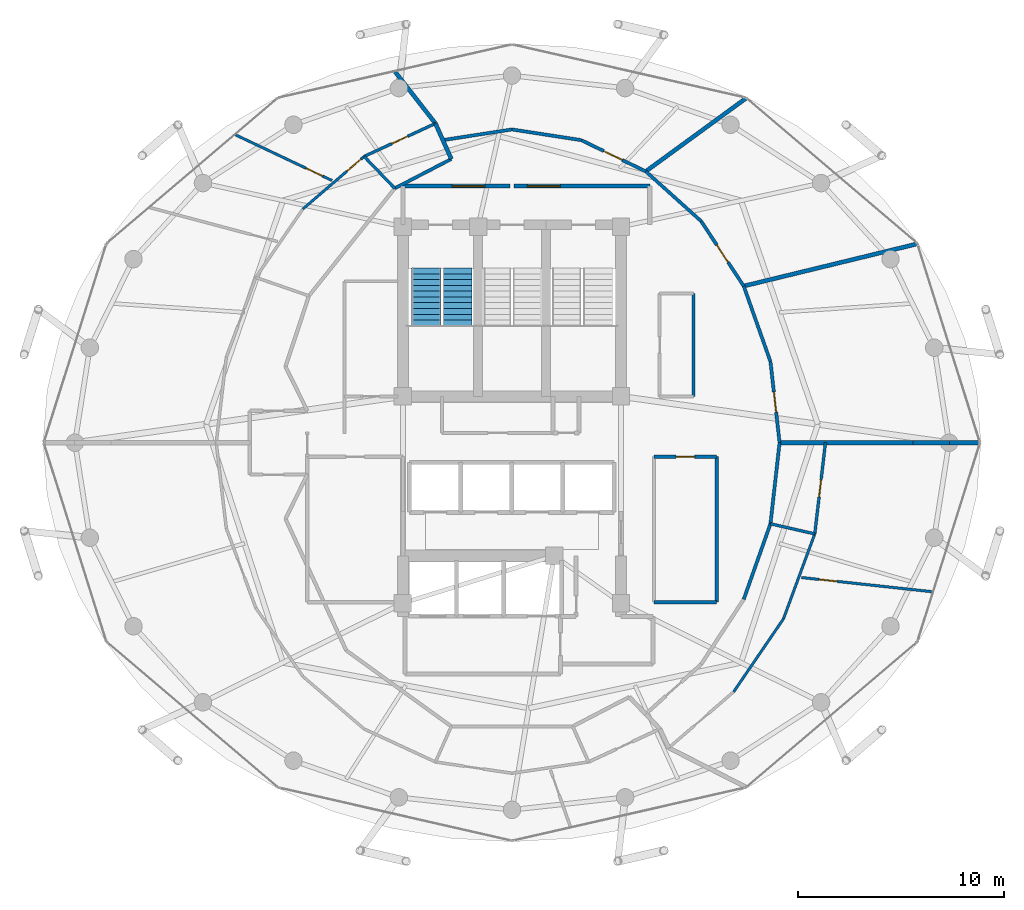
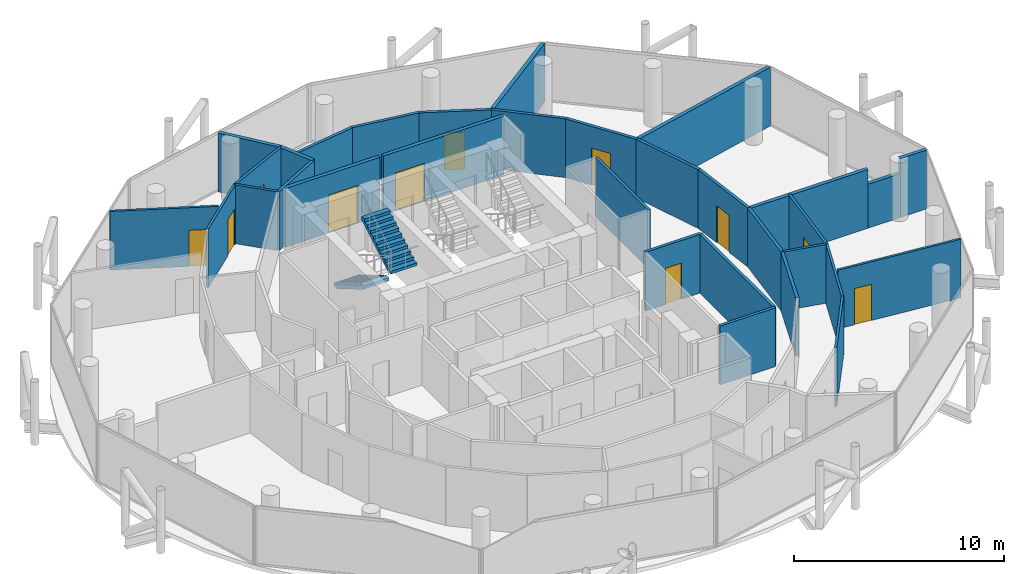
# One storey, part 25 of 27: 32 walls, 11 doors, 2 stair flights, 11 openings, 1 element without a shape of its own.
"""IFC4 building model written with IfcOpenShell, lengths in metres."""

from ifc_helpers import new_model, si_unit, direction, frame, frame_2d, origin, place, context, subcontext, project, spatial, polyline, rectangle, outline, extrude, material, layer, layer_set, type_object, element, fill, aggregate, save


model = new_model("IFC4")

# Units and contexts
model_context = context("Model", 3, precision=1e-05, world=origin(), true_north=direction((0.0, 1.0)))
body_context = subcontext(model_context, "Body", "Model", "MODEL_VIEW")
ifc_project = project(units=[si_unit("LENGTHUNIT", "METRE"), si_unit("AREAUNIT", "SQUARE_METRE"), si_unit("VOLUMEUNIT", "CUBIC_METRE"), si_unit("PLANEANGLEUNIT", "RADIAN"), si_unit("MASSUNIT", "GRAM", prefix="KILO")], contexts=[model_context])

# Site, building, storey
site_placement = place(None, origin())
site = spatial("IfcSite", under=ifc_project, at=site_placement, CompositionType="ELEMENT")
building_placement = place(site_placement, origin())
building = spatial("IfcBuilding", under=site, at=building_placement, Name="Nuhasar Tower", CompositionType="ELEMENT")
storey_placement = place(building_placement, frame((0.0, 0.0, 219.10009765625)))
storey = spatial("IfcBuildingStorey", under=building, at=storey_placement, Name="L53", CompositionType="ELEMENT", Elevation=219.10009765625)

# Walls
ifc_material_1 = material(Name="Gypsum Board", Category="gypsum")
ifc_layer_1 = layer(ifc_material_1, 0.159912109375)
ifc_layer_set_1 = layer_set([ifc_layer_1], Name="Gypsum Board")
wall_type_1 = type_object("IfcWallType", Name="WL-CORR-160", PredefinedType="PARTITIONING", material=ifc_layer_set_1)
wall_1_placement = place(storey_placement, frame((45.89990234375, 19.050048828125, 0.0), z_axis=(0.0, 0.0, 1.0), x_axis=(1.0, 0.0, 0.0)))
element("IfcWall", 1, at=wall_1_placement, inside=storey, type_object=wall_type_1, Name="L53 Interior Partition RECL-B2-S", PredefinedType="PARTITIONING", context=body_context, shape_type="SweptSolid", body=[
    extrude(rectangle(XDim=3.050048828125, YDim=0.159912109375, at=frame_2d((1.52490234375, 0.0))), origin(), (0.0, 0.0, 1.0), 3.409912109375),
])
wall_2_placement = place(storey_placement, frame((48.949951171875, 19.050048828125, 0.0), z_axis=(0.0, 0.0, 1.0), x_axis=(0.0, 1.0, 0.0)))
element("IfcWall", 2, at=wall_2_placement, inside=storey, type_object=wall_type_1, Name="L53 Interior Partition RECL-B2-E", PredefinedType="PARTITIONING", context=body_context, shape_type="SweptSolid", body=[
    extrude(rectangle(XDim=7.070068359375, YDim=0.159912109375, at=frame_2d((3.53515625, 0.0))), origin(), (0.0, 0.0, 1.0), 3.409912109375),
])

# Wall, opening, door
wall_3_placement = place(storey_placement, frame((48.949951171875, 26.1201171875, 0.0), z_axis=(0.0, 0.0, 1.0), x_axis=(-1.0, 0.0, 0.0)))
wall_3 = element("IfcWall", 3, at=wall_3_placement, inside=storey, type_object=wall_type_1, Name="L53 Interior Partition RECL-B2-N", PredefinedType="PARTITIONING", context=body_context, shape_type="SweptSolid", body=[
    extrude(rectangle(XDim=3.050048828125, YDim=0.159912109375, at=frame_2d((1.52490234375, 0.0))), origin(), (0.0, 0.0, 1.0), 3.409912109375),
])
opening_1_placement = place(wall_3_placement, frame((1.074951171875, 0.0, 0.0)))
opening_1 = element("IfcOpeningElement", 4, at=opening_1_placement, cuts=wall_3, Name="Opening DR-01", PredefinedType="OPENING", context=body_context, shape_type="SweptSolid", body=[
    extrude(rectangle(XDim=0.89990234375, YDim=2.10009765625, at=frame_2d((0.449951171875, 1.050048828125))), frame((0.0, 0.08984375, 0.0), z_axis=(0.0, -1.0, 0.0), x_axis=(1.0, 0.0, 0.0)), (0.0, 0.0, 1.0), 0.179931640625),
])
ifc_material_2 = material(Name="Timber Oak", Category="wood")
door_type_1 = type_object("IfcDoorType", Name="DR-ROOM-900", OperationType="NOTDEFINED", PredefinedType="DOOR", material=ifc_material_2)
door_1_placement = place(opening_1_placement, origin())
door_1 = element("IfcDoor", 5, at=door_1_placement, inside=storey, type_object=door_type_1, Name="L53 Resident Library Door", OperationType="SINGLE_SWING_LEFT", OverallHeight=2.10009765625, OverallWidth=0.89990234375, PredefinedType="DOOR", context=body_context, shape_type="SweptSolid", body=[
    extrude(rectangle(XDim=0.89990234375, YDim=2.10009765625, at=frame_2d((0.449951171875, 1.050048828125))), frame((0.0, 0.02490234375, 0.0), z_axis=(0.0, -1.0, 0.0), x_axis=(1.0, 0.0, 0.0)), (0.0, 0.0, 1.0), 0.050048828125),
])
fill(opening_1, door_1)

# Walls
wall_4_placement = place(storey_placement, frame((50.26708984375, 19.18505859375, 0.0), z_axis=(0.0, 0.0, 1.0), x_axis=(0.333619775429, 0.942707720051, 0.0)))
element("IfcWall", 6, at=wall_4_placement, inside=storey, type_object=wall_type_1, Name="L53 Interior Partition CORR-44", PredefinedType="PARTITIONING", context=body_context, shape_type="SweptSolid", body=[
    extrude(rectangle(XDim=3.89599609375, YDim=0.159912109375, at=frame_2d((1.947998046875, 0.0))), origin(), (0.0, 0.0, 1.0), 3.409912109375),
])
wall_5_placement = place(storey_placement, frame((51.56689453125, 22.85791015625, 0.0), z_axis=(0.0, 0.0, 1.0), x_axis=(0.11170133215, 0.993741823813, 0.0)))
element("IfcWall", 7, at=wall_5_placement, inside=storey, type_object=wall_type_1, Name="L53 Interior Partition CORR-46", PredefinedType="PARTITIONING", context=body_context, shape_type="SweptSolid", body=[
    extrude(rectangle(XDim=3.967041015625, YDim=0.159912109375, at=frame_2d((1.9833984375, 0.0))), origin(), (0.0, 0.0, 1.0), 3.409912109375),
])

# Wall, opening, door
wall_6_placement = place(storey_placement, frame((51.56689453125, 30.741943359375, 0.0), z_axis=(0.0, 0.0, 1.0), x_axis=(0.111708164027, -0.993741055854, 0.0)))
wall_6 = element("IfcWall", 8, at=wall_6_placement, inside=storey, type_object=wall_type_1, Name="L53 Interior Partition CORR-00", PredefinedType="PARTITIONING", context=body_context, shape_type="SweptSolid", body=[
    extrude(rectangle(XDim=3.966796875, YDim=0.159912109375, at=frame_2d((1.9833984375, 0.0))), origin(), (0.0, 0.0, 1.0), 3.409912109375),
])
opening_2_placement = place(wall_6_placement, frame((1.48291015625, 0.0, 0.0)))
opening_2 = element("IfcOpeningElement", 9, at=opening_2_placement, cuts=wall_6, Name="Opening DU-02", PredefinedType="OPENING", context=body_context, shape_type="SweptSolid", body=[
    extrude(rectangle(XDim=1.0, YDim=2.14990234375, at=frame_2d((0.5, 1.074951171875))), frame((0.0, 0.08984375, 0.0), z_axis=(0.0, -1.0, 0.0), x_axis=(1.0, 0.0, 0.0)), (0.0, 0.0, 1.0), 0.179931640625),
])
door_type_2 = type_object("IfcDoorType", Name="DR-FLAT-FD60-1000", OperationType="NOTDEFINED", PredefinedType="DOOR", material=ifc_material_2)
door_2_placement = place(opening_2_placement, origin())
door_2 = element("IfcDoor", 10, at=door_2_placement, inside=storey, type_object=door_type_2, Name="L53 Resident Co-Working Office 1 Entrance Door", OperationType="SINGLE_SWING_RIGHT", OverallHeight=2.14990234375, OverallWidth=1.0, PredefinedType="DOOR", context=body_context, shape_type="SweptSolid", body=[
    extrude(rectangle(XDim=1.0, YDim=2.14990234375, at=frame_2d((0.5, 1.074951171875))), frame((0.0, 0.02490234375, 0.0), z_axis=(0.0, -1.0, 0.0), x_axis=(1.0, 0.0, 0.0)), (0.0, 0.0, 1.0), 0.050048828125),
])
fill(opening_2, door_2)

# Wall
wall_7_placement = place(storey_placement, frame((51.56689453125, 30.741943359375, 0.0), z_axis=(0.0, 0.0, 1.0), x_axis=(-0.333600068518, 0.942714694001, 0.0)))
element("IfcWall", 11, at=wall_7_placement, inside=storey, type_object=wall_type_1, Name="L53 Interior Partition CORR-02", PredefinedType="PARTITIONING", context=body_context, shape_type="SweptSolid", body=[
    extrude(rectangle(XDim=3.896240234375, YDim=0.159912109375, at=frame_2d((1.9482421875, 0.0))), origin(), (0.0, 0.0, 1.0), 3.409912109375),
])

# Wall, opening, door
wall_8_placement = place(storey_placement, frame((48.198974609375, 37.569091796875, 0.0), z_axis=(0.0, 0.0, 1.0), x_axis=(0.548335441843, -0.836258478712, 0.0)))
wall_8 = element("IfcWall", 12, at=wall_8_placement, inside=storey, type_object=wall_type_1, Name="L53 Interior Partition CORR-04", PredefinedType="PARTITIONING", context=body_context, shape_type="SweptSolid", body=[
    extrude(rectangle(XDim=3.771728515625, YDim=0.159912109375, at=frame_2d((1.8857421875, 0.0))), origin(), (0.0, 0.0, 1.0), 3.409912109375),
])
opening_3_placement = place(wall_8_placement, frame((1.385986328125, 0.0, 0.0)))
opening_3 = element("IfcOpeningElement", 13, at=opening_3_placement, cuts=wall_8, Name="Opening DU-02", PredefinedType="OPENING", context=body_context, shape_type="SweptSolid", body=[
    extrude(rectangle(XDim=1.0, YDim=2.14990234375, at=frame_2d((0.5, 1.074951171875))), frame((0.0, 0.08984375, 0.0), z_axis=(0.0, -1.0, 0.0), x_axis=(1.0, 0.0, 0.0)), (0.0, 0.0, 1.0), 0.179931640625),
])
door_3_placement = place(opening_3_placement, origin())
door_3 = element("IfcDoor", 14, at=door_3_placement, inside=storey, type_object=door_type_2, Name="L53 Resident Executive Office 2 Entrance Door", OperationType="SINGLE_SWING_RIGHT", OverallHeight=2.14990234375, OverallWidth=1.0, PredefinedType="DOOR", context=body_context, shape_type="SweptSolid", body=[
    extrude(rectangle(XDim=1.0, YDim=2.14990234375, at=frame_2d((0.5, 1.074951171875))), frame((0.0, 0.02490234375, 0.0), z_axis=(0.0, -1.0, 0.0), x_axis=(1.0, 0.0, 0.0)), (0.0, 0.0, 1.0), 0.050048828125),
])
fill(opening_3, door_3)

# Wall
wall_9_placement = place(storey_placement, frame((48.198974609375, 37.569091796875, 0.0), z_axis=(0.0, 0.0, 1.0), x_axis=(-0.743813424218, 0.66838730535, 0.0)))
element("IfcWall", 15, at=wall_9_placement, inside=storey, type_object=wall_type_1, Name="L53 Interior Partition CORR-06", PredefinedType="PARTITIONING", context=body_context, shape_type="SweptSolid", body=[
    extrude(rectangle(XDim=3.6220703125, YDim=0.159912109375, at=frame_2d((1.81103515625, 0.0))), origin(), (0.0, 0.0, 1.0), 3.409912109375),
])

# Wall, opening, door
wall_10_placement = place(storey_placement, frame((42.366943359375, 41.510986328125, 0.0), z_axis=(0.0, 0.0, 1.0), x_axis=(0.89986240726, -0.436173873588, 0.0)))
wall_10 = element("IfcWall", 16, at=wall_10_placement, inside=storey, type_object=wall_type_1, Name="L53 Interior Partition CORR-08", PredefinedType="PARTITIONING", context=body_context, shape_type="SweptSolid", body=[
    extrude(rectangle(XDim=3.487060546875, YDim=0.159912109375, at=frame_2d((1.74365234375, 0.0))), origin(), (0.0, 0.0, 1.0), 3.409912109375),
])
opening_4_placement = place(wall_10_placement, frame((1.218017578125, 0.0, 0.0)))
opening_4 = element("IfcOpeningElement", 17, at=opening_4_placement, cuts=wall_10, Name="Opening DU-02", PredefinedType="OPENING", context=body_context, shape_type="SweptSolid", body=[
    extrude(rectangle(XDim=1.0, YDim=2.14990234375, at=frame_2d((0.5, 1.074951171875))), frame((0.0, 0.08984375, 0.0), z_axis=(0.0, -1.0, 0.0), x_axis=(1.0, 0.0, 0.0)), (0.0, 0.0, 1.0), 0.179931640625),
])
door_4_placement = place(opening_4_placement, origin())
door_4 = element("IfcDoor", 18, at=door_4_placement, inside=storey, type_object=door_type_2, Name="L53 Resident Briefing Room Entrance Door", OperationType="SINGLE_SWING_LEFT", OverallHeight=2.14990234375, OverallWidth=1.0, PredefinedType="DOOR", context=body_context, shape_type="SweptSolid", body=[
    extrude(rectangle(XDim=1.0, YDim=2.14990234375, at=frame_2d((0.5, 1.074951171875))), frame((0.0, 0.02490234375, 0.0), z_axis=(0.0, -1.0, 0.0), x_axis=(1.0, 0.0, 0.0)), (0.0, 0.0, 1.0), 0.050048828125),
])
fill(opening_4, door_4)

# Walls
wall_11_placement = place(storey_placement, frame((42.366943359375, 41.510986328125, 0.0), z_axis=(0.0, 0.0, 1.0), x_axis=(-0.988325256122, 0.152358748061, 0.0)))
element("IfcWall", 19, at=wall_11_placement, inside=storey, type_object=wall_type_1, Name="L53 Interior Partition CORR-10", PredefinedType="PARTITIONING", context=body_context, shape_type="SweptSolid", body=[
    extrude(rectangle(XDim=3.40673828125, YDim=0.159912109375, at=frame_2d((1.703369140625, 0.0))), origin(), (0.0, 0.0, 1.0), 3.409912109375),
])
wall_12_placement = place(storey_placement, frame((39.0, 42.030029296875, 0.0), z_axis=(0.0, 0.0, 1.0), x_axis=(-0.988328501041, -0.152337697335, 0.0)))
element("IfcWall", 20, at=wall_12_placement, inside=storey, type_object=wall_type_1, Name="L53 Interior Partition CORR-12", PredefinedType="PARTITIONING", context=body_context, shape_type="SweptSolid", body=[
    extrude(rectangle(XDim=3.40087890625, YDim=0.159912109375, at=frame_2d((1.700439453125, 0.0))), origin(), (0.0, 0.0, 1.0), 3.409912109375),
])
wall_13_placement = place(storey_placement, frame((36.049072265625, 40.593017578125, 0.0), z_axis=(0.0, 0.0, 1.0), x_axis=(-0.887674575788, -0.460471331898, 0.0)))
element("IfcWall", 21, at=wall_13_placement, inside=storey, type_object=wall_type_1, Name="L53 Interior Partition UWEST-CORE-N1-14", PredefinedType="PARTITIONING", context=body_context, shape_type="SweptSolid", body=[
    extrude(rectangle(XDim=3.096923828125, YDim=0.159912109375, at=frame_2d((1.54833984375, 0.0))), origin(), (0.0, 0.0, 1.0), 3.409912109375),
])

# Wall, opening, door
ifc_material_3 = material(Name="Concrete C45/55", Category="concrete")
ifc_layer_2 = layer(ifc_material_3, 0.199951171875)
ifc_layer_set_2 = layer_set([ifc_layer_2], Name="Concrete C45/55")
wall_type_2 = type_object("IfcWallType", Name="WL-LOBBY-200", PredefinedType="SOLIDWALL", material=ifc_layer_set_2)
wall_14_placement = place(storey_placement, frame((38.89990234375, 39.280029296875, 0.0), z_axis=(0.0, 0.0, 1.0), x_axis=(-1.0, 0.0, 0.0)))
wall_14 = element("IfcWall", 22, at=wall_14_placement, inside=storey, type_object=wall_type_2, Name="L53 Interior Partition NSL-N1", PredefinedType="SOLIDWALL", context=body_context, shape_type="SweptSolid", body=[
    extrude(rectangle(XDim=5.199951171875, YDim=0.199951171875, at=frame_2d((2.60009765625, 0.0))), origin(), (0.0, 0.0, 1.0), 3.409912109375),
])
opening_5_placement = place(wall_14_placement, frame((1.216064453125, 0.0, 0.0)))
opening_5 = element("IfcOpeningElement", 23, at=opening_5_placement, cuts=wall_14, Name="Opening DC-01", PredefinedType="OPENING", context=body_context, shape_type="SweptSolid", body=[
    extrude(rectangle(XDim=1.60009765625, YDim=2.199951171875, at=frame_2d((0.800048828125, 1.10009765625))), frame((0.0, 0.10986328125, 0.0), z_axis=(0.0, -1.0, 0.0), x_axis=(1.0, 0.0, 0.0)), (0.0, 0.0, 1.0), 0.219970703125),
])
ifc_material_4 = material(Name="Steel S355", Category="steel")
door_type_3 = type_object("IfcDoorType", Name="DR-CORR-FD60-1600", OperationType="DOUBLE_DOOR_SINGLE_SWING", PredefinedType="DOOR", material=ifc_material_4)
door_5_placement = place(opening_5_placement, origin())
door_5 = element("IfcDoor", 24, at=door_5_placement, inside=storey, type_object=door_type_3, Name="L53 North Stair Lobby West Door", OperationType="DOUBLE_DOOR_SINGLE_SWING", OverallHeight=2.199951171875, OverallWidth=1.60009765625, PredefinedType="DOOR", context=body_context, shape_type="SweptSolid", body=[
    extrude(rectangle(XDim=1.60009765625, YDim=2.199951171875, at=frame_2d((0.800048828125, 1.10009765625))), frame((0.0, 0.02490234375, 0.0), z_axis=(0.0, -1.0, 0.0), x_axis=(1.0, 0.0, 0.0)), (0.0, 0.0, 1.0), 0.050048828125),
])
fill(opening_5, door_5)

wall_15_placement = place(storey_placement, frame((45.699951171875, 39.280029296875, 0.0), z_axis=(0.0, 0.0, 1.0), x_axis=(-1.0, 0.0, 0.0)))
wall_15 = element("IfcWall", 25, at=wall_15_placement, inside=storey, type_object=wall_type_2, Name="L53 Interior Partition NSL-N2", PredefinedType="SOLIDWALL", context=body_context, shape_type="SweptSolid", body=[
    extrude(rectangle(XDim=6.599853515625, YDim=0.199951171875, at=frame_2d((3.2998046875, 0.0))), origin(), (0.0, 0.0, 1.0), 3.409912109375),
])
opening_6_placement = place(wall_15_placement, frame((4.35009765625, 0.0, 0.0)))
opening_6 = element("IfcOpeningElement", 26, at=opening_6_placement, cuts=wall_15, Name="Opening DC-01", PredefinedType="OPENING", context=body_context, shape_type="SweptSolid", body=[
    extrude(rectangle(XDim=1.60009765625, YDim=2.199951171875, at=frame_2d((0.800048828125, 1.10009765625))), frame((0.0, 0.10986328125, 0.0), z_axis=(0.0, -1.0, 0.0), x_axis=(1.0, 0.0, 0.0)), (0.0, 0.0, 1.0), 0.219970703125),
])
door_6_placement = place(opening_6_placement, origin())
door_6 = element("IfcDoor", 27, at=door_6_placement, inside=storey, type_object=door_type_3, Name="L53 North Stair Lobby East Door", OperationType="DOUBLE_DOOR_SINGLE_SWING", OverallHeight=2.199951171875, OverallWidth=1.60009765625, PredefinedType="DOOR", context=body_context, shape_type="SweptSolid", body=[
    extrude(rectangle(XDim=1.60009765625, YDim=2.199951171875, at=frame_2d((0.800048828125, 1.10009765625))), frame((0.0, 0.02490234375, 0.0), z_axis=(0.0, -1.0, 0.0), x_axis=(1.0, 0.0, 0.0)), (0.0, 0.0, 1.0), 0.050048828125),
])
fill(opening_6, door_6)

# Walls
ifc_layer_3 = layer(ifc_material_1, 0.125)
ifc_layer_set_3 = layer_set([ifc_layer_3], Name="Gypsum Board")
wall_type_3 = type_object("IfcWallType", Name="WL-PART-125", PredefinedType="PARTITIONING", material=ifc_layer_set_3)
wall_16_placement = place(storey_placement, frame((49.77587890625, 14.68701171875, 0.0), z_axis=(0.0, 0.0, 1.0), x_axis=(0.563807562119, 0.82590618892, 0.0)))
element("IfcWall", 28, at=wall_16_placement, inside=storey, type_object=wall_type_3, Name="L53 Interior Partition UMID-01-A-42", PredefinedType="PARTITIONING", context=body_context, shape_type="SweptSolid", body=[
    extrude(rectangle(XDim=4.2958984375, YDim=0.125, at=frame_2d((2.14794921875, 0.0))), origin(), (0.0, 0.0, 1.0), 3.409912109375),
])
wall_17_placement = place(storey_placement, frame((52.197998046875, 18.235107421875, 0.0), z_axis=(0.0, 0.0, 1.0), x_axis=(0.345916071667, 0.938265458899, 0.0)))
element("IfcWall", 29, at=wall_17_placement, inside=storey, type_object=wall_type_3, Name="L53 Interior Partition UMID-01-A-44", PredefinedType="PARTITIONING", context=body_context, shape_type="SweptSolid", body=[
    extrude(rectangle(XDim=4.402587890625, YDim=0.125, at=frame_2d((2.201171875, 0.0))), origin(), (0.0, 0.0, 1.0), 3.409912109375),
])

# Wall, opening, door
wall_18_placement = place(storey_placement, frame((53.080078125, 20.2451171875, 0.0), z_axis=(0.0, 0.0, 1.0), x_axis=(0.994131981144, -0.108173952811, 0.0)))
wall_18 = element("IfcWall", 30, at=wall_18_placement, inside=storey, type_object=wall_type_3, Name="L53 Interior Partition UOUT-01-B1", PredefinedType="PARTITIONING", context=body_context, shape_type="SweptSolid", body=[
    extrude(rectangle(XDim=6.3984375, YDim=0.125, at=frame_2d((3.19921875, 0.0))), origin(), (0.0, 0.0, 1.0), 3.409912109375),
])
opening_7_placement = place(wall_18_placement, frame((0.85009765625, 0.0, 0.0)))
opening_7 = element("IfcOpeningElement", 31, at=opening_7_placement, cuts=wall_18, Name="Opening DR-01", PredefinedType="OPENING", context=body_context, shape_type="SweptSolid", body=[
    extrude(rectangle(XDim=0.89990234375, YDim=2.10009765625, at=frame_2d((0.449951171875, 1.050048828125))), frame((0.0, 0.072509765625, 0.0), z_axis=(0.0, -1.0, 0.0), x_axis=(1.0, 0.0, 0.0)), (0.0, 0.0, 1.0), 0.14501953125),
])
door_7_placement = place(opening_7_placement, origin())
door_7 = element("IfcDoor", 32, at=door_7_placement, inside=storey, type_object=door_type_1, Name="L53 U01 Bedroom Door", OperationType="SINGLE_SWING_LEFT", OverallHeight=2.10009765625, OverallWidth=0.89990234375, PredefinedType="DOOR", context=body_context, shape_type="SweptSolid", body=[
    extrude(rectangle(XDim=0.89990234375, YDim=2.10009765625, at=frame_2d((0.449951171875, 1.050048828125))), frame((0.0, 0.02490234375, 0.0), z_axis=(0.0, -1.0, 0.0), x_axis=(1.0, 0.0, 0.0)), (0.0, 0.0, 1.0), 0.050048828125),
])
fill(opening_7, door_7)

wall_19_placement = place(storey_placement, frame((28.83203125, 38.1630859375, 0.0), z_axis=(0.0, 0.0, 1.0), x_axis=(0.759085259689, 0.650991220004, 0.0)))
wall_19 = element("IfcWall", 33, at=wall_19_placement, inside=storey, type_object=wall_type_3, Name="L53 Interior Partition USM-1-K-16", PredefinedType="PARTITIONING", context=body_context, shape_type="SweptSolid", body=[
    extrude(rectangle(XDim=3.923095703125, YDim=0.125, at=frame_2d((1.96142578125, 0.0))), origin(), (0.0, 0.0, 1.0), 3.409912109375),
])
opening_8_placement = place(wall_19_placement, frame((2.822998046875, 0.0, 0.0)))
opening_8 = element("IfcOpeningElement", 34, at=opening_8_placement, cuts=wall_19, Name="Opening DR-01", PredefinedType="OPENING", context=body_context, shape_type="SweptSolid", body=[
    extrude(rectangle(XDim=0.89990234375, YDim=2.10009765625, at=frame_2d((0.449951171875, 1.050048828125))), frame((0.0, 0.072509765625, 0.0), z_axis=(0.0, -1.0, 0.0), x_axis=(1.0, 0.0, 0.0)), (0.0, 0.0, 1.0), 0.14501953125),
])
door_8_placement = place(opening_8_placement, origin())
door_8 = element("IfcDoor", 35, at=door_8_placement, inside=storey, type_object=door_type_1, Name="L53 North-West Sky Home Kitchen Door", OperationType="SINGLE_SWING_RIGHT", OverallHeight=2.10009765625, OverallWidth=0.89990234375, PredefinedType="DOOR", context=body_context, shape_type="SweptSolid", body=[
    extrude(rectangle(XDim=0.89990234375, YDim=2.10009765625, at=frame_2d((0.449951171875, 1.050048828125))), frame((0.0, 0.02490234375, 0.0), z_axis=(0.0, -1.0, 0.0), x_axis=(1.0, 0.0, 0.0)), (0.0, 0.0, 1.0), 0.050048828125),
])
fill(opening_8, door_8)

wall_20_placement = place(storey_placement, frame((30.24609375, 39.549072265625, 0.0), z_axis=(0.0, 0.0, 1.0), x_axis=(-0.903897878918, 0.427748319094, 0.0)))
wall_20 = element("IfcWall", 36, at=wall_20_placement, inside=storey, type_object=wall_type_3, Name="L53 Interior Partition USO-1-B1", PredefinedType="PARTITIONING", context=body_context, shape_type="SweptSolid", body=[
    extrude(rectangle(XDim=5.185302734375, YDim=0.125, at=frame_2d((2.5927734375, 0.0))), origin(), (0.0, 0.0, 1.0), 3.409912109375),
])
opening_9_placement = place(wall_20_placement, frame((0.5029296875, 0.0, 0.0)))
opening_9 = element("IfcOpeningElement", 37, at=opening_9_placement, cuts=wall_20, Name="Opening DR-01", PredefinedType="OPENING", context=body_context, shape_type="SweptSolid", body=[
    extrude(rectangle(XDim=0.89990234375, YDim=2.10009765625, at=frame_2d((0.449951171875, 1.050048828125))), frame((0.0, 0.072509765625, 0.0), z_axis=(0.0, -1.0, 0.0), x_axis=(1.0, 0.0, 0.0)), (0.0, 0.0, 1.0), 0.14501953125),
])
door_9_placement = place(opening_9_placement, origin())
door_9 = element("IfcDoor", 38, at=door_9_placement, inside=storey, type_object=door_type_1, Name="L53 North-West Sky Home Master Bedroom Door", OperationType="SINGLE_SWING_LEFT", OverallHeight=2.10009765625, OverallWidth=0.89990234375, PredefinedType="DOOR", context=body_context, shape_type="SweptSolid", body=[
    extrude(rectangle(XDim=0.89990234375, YDim=2.10009765625, at=frame_2d((0.449951171875, 1.050048828125))), frame((0.0, 0.02490234375, 0.0), z_axis=(0.0, -1.0, 0.0), x_axis=(1.0, 0.0, 0.0)), (0.0, 0.0, 1.0), 0.050048828125),
])
fill(opening_9, door_9)

# Walls
ifc_material_5 = material(Name="Concrete C40/50 precast", Category="concrete")
ifc_layer_4 = layer(ifc_material_5, 0.199951171875)
ifc_layer_set_4 = layer_set([ifc_layer_4], Name="Concrete C40/50 precast")
wall_type_4 = type_object("IfcWallType", Name="WL-UNIT-200", PredefinedType="PARTITIONING", material=ifc_layer_set_4)
wall_21_placement = place(storey_placement, frame((36.049072265625, 40.593017578125, 0.0), z_axis=(0.0, 0.0, 1.0), x_axis=(-0.407262922325, 0.913310961338, 0.0)))
element("IfcWall", 39, at=wall_21_placement, inside=storey, type_object=wall_type_4, Name="L53 Interior Partition URAD-14-NW-S1", PredefinedType="PARTITIONING", context=body_context, shape_type="SweptSolid", body=[
    extrude(rectangle(XDim=1.89306640625, YDim=0.199951171875, at=frame_2d((0.946533203125, 0.0))), origin(), (0.0, 0.0, 1.0), 3.409912109375),
])
wall_22_placement = place(storey_placement, frame((35.278076171875, 42.322021484375, 0.0), z_axis=(0.0, 0.0, 1.0), x_axis=(-0.615410344966, 0.788206893721, 0.0)))
element("IfcWall", 40, at=wall_22_placement, inside=storey, type_object=wall_type_4, Name="L53 Interior Partition URAD-14-NW-S2", PredefinedType="PARTITIONING", context=body_context, shape_type="SweptSolid", body=[
    extrude(rectangle(XDim=3.18310546875, YDim=0.199951171875, at=frame_2d((1.591552734375, 0.0))), origin(), (0.0, 0.0, 1.0), 3.409912109375),
])
wall_23_placement = place(storey_placement, frame((52.010009765625, 26.800048828125, 0.0), z_axis=(0.0, 0.0, 1.0), x_axis=(1.0, 0.0, 0.0)))
element("IfcWall", 41, at=wall_23_placement, inside=storey, type_object=wall_type_4, Name="L53 Interior Partition URAD-00", PredefinedType="PARTITIONING", context=body_context, shape_type="SweptSolid", body=[
    extrude(rectangle(XDim=6.486083984375, YDim=0.199951171875, at=frame_2d((3.2431640625, 0.0))), origin(), (0.0, 0.0, 1.0), 3.409912109375),
])
wall_24_placement = place(storey_placement, frame((58.49609375, 26.800048828125, 0.0), z_axis=(0.0, 0.0, 1.0), x_axis=(1.0, 0.0, 0.0)))
element("IfcWall", 42, at=wall_24_placement, inside=storey, type_object=wall_type_4, Name="L53 Interior Partition URAD-00", PredefinedType="PARTITIONING", context=body_context, shape_type="SweptSolid", body=[
    extrude(rectangle(XDim=1.767822265625, YDim=0.199951171875, at=frame_2d((0.8837890625, 0.0))), origin(), (0.0, 0.0, 1.0), 2.5498046875),
])
wall_25_placement = place(storey_placement, frame((60.263916015625, 26.800048828125, 0.0), z_axis=(0.0, 0.0, 1.0), x_axis=(1.0, 0.0, 0.0)))
element("IfcWall", 43, at=wall_25_placement, inside=storey, type_object=wall_type_4, Name="L53 Interior Partition URAD-00", PredefinedType="PARTITIONING", context=body_context, shape_type="SweptSolid", body=[
    extrude(rectangle(XDim=1.461181640625, YDim=0.199951171875, at=frame_2d((0.73046875, 0.0))), origin(), (0.0, 0.0, 1.0), 3.409912109375),
])
wall_26_placement = place(storey_placement, frame((50.26708984375, 34.4150390625, 0.0), z_axis=(0.0, 0.0, 1.0), x_axis=(0.971654125171, 0.236406981788, 0.0)))
element("IfcWall", 44, at=wall_26_placement, inside=storey, type_object=wall_type_4, Name="L53 Interior Partition URAD-04", PredefinedType="PARTITIONING", context=body_context, shape_type="SweptSolid", body=[
    extrude(rectangle(XDim=8.658203125, YDim=0.199951171875, at=frame_2d((4.3291015625, 0.0))), origin(), (0.0, 0.0, 1.0), 3.409912109375),
])
wall_27_placement = place(storey_placement, frame((45.5048828125, 39.989990234375, 0.0), z_axis=(0.0, 0.0, 1.0), x_axis=(0.807730868973, 0.589551391575, 0.0)))
element("IfcWall", 45, at=wall_27_placement, inside=storey, type_object=wall_type_4, Name="L53 Interior Partition URAD-08", PredefinedType="PARTITIONING", context=body_context, shape_type="SweptSolid", body=[
    extrude(rectangle(XDim=6.0146484375, YDim=0.199951171875, at=frame_2d((3.00732421875, 0.0))), origin(), (0.0, 0.0, 1.0), 3.409912109375),
])
ifc_layer_5 = layer(ifc_material_5, 0.139892578125)
ifc_layer_set_5 = layer_set([ifc_layer_5], Name="Concrete C40/50 precast")
wall_type_5 = type_object("IfcWallType", Name="WL-WET-140", PredefinedType="PARTITIONING", material=ifc_layer_set_5)
wall_28_placement = place(storey_placement, frame((47.820068359375, 29.050048828125, 0.0), z_axis=(0.0, 0.0, 1.0), x_axis=(0.0, 1.0, 0.0)))
element("IfcWall", 46, at=wall_28_placement, inside=storey, type_object=wall_type_5, Name="L53 Interior Partition K3-NE-E", PredefinedType="PARTITIONING", context=body_context, shape_type="SweptSolid", body=[
    extrude(rectangle(XDim=5.0, YDim=0.139892578125, at=frame_2d((2.5, 0.0))), origin(), (0.0, 0.0, 1.0), 3.409912109375),
])

# Wall, opening, door
wall_29_placement = place(storey_placement, frame((54.239990234375, 26.800048828125, 0.0), z_axis=(0.0, 0.0, 1.0), x_axis=(-0.11626375205, -0.993218374759, 0.0)))
wall_29 = element("IfcWall", 47, at=wall_29_placement, inside=storey, type_object=wall_type_5, Name="L53 Interior Partition UMID-01-B-46", PredefinedType="PARTITIONING", context=body_context, shape_type="SweptSolid", body=[
    extrude(rectangle(XDim=4.46435546875, YDim=0.139892578125, at=frame_2d((2.232177734375, 0.0))), origin(), (0.0, 0.0, 1.0), 3.409912109375),
])
opening_10_placement = place(wall_29_placement, frame((1.806884765625, 0.0, 0.0)))
opening_10 = element("IfcOpeningElement", 48, at=opening_10_placement, cuts=wall_29, Name="Opening DB-01", PredefinedType="OPENING", context=body_context, shape_type="SweptSolid", body=[
    extrude(rectangle(XDim=0.85009765625, YDim=2.10009765625, at=frame_2d((0.425048828125, 1.050048828125))), frame((0.0, 0.080078125, 0.0), z_axis=(0.0, -1.0, 0.0), x_axis=(1.0, 0.0, 0.0)), (0.0, 0.0, 1.0), 0.159912109375),
])
door_type_4 = type_object("IfcDoorType", Name="DR-BATH-850", OperationType="NOTDEFINED", PredefinedType="DOOR", material=ifc_material_2)
door_10_placement = place(opening_10_placement, origin())
door_10 = element("IfcDoor", 49, at=door_10_placement, inside=storey, type_object=door_type_4, Name="L53 U01 Bathroom Door", OperationType="SINGLE_SWING_RIGHT", OverallHeight=2.10009765625, OverallWidth=0.85009765625, PredefinedType="DOOR", context=body_context, shape_type="SweptSolid", body=[
    extrude(rectangle(XDim=0.85009765625, YDim=2.10009765625, at=frame_2d((0.425048828125, 1.050048828125))), frame((0.0, 0.02490234375, 0.0), z_axis=(0.0, -1.0, 0.0), x_axis=(1.0, 0.0, 0.0)), (0.0, 0.0, 1.0), 0.050048828125),
])
fill(opening_10, door_10)

# Walls
wall_30_placement = place(storey_placement, frame((51.56689453125, 22.85791015625, 0.0), z_axis=(0.0, 0.0, 1.0), x_axis=(0.974898951109, -0.222647782668, 0.0)))
element("IfcWall", 50, at=wall_30_placement, inside=storey, type_object=wall_type_5, Name="L53 Interior Partition UIN-01-K", PredefinedType="PARTITIONING", context=body_context, shape_type="SweptSolid", body=[
    extrude(rectangle(XDim=2.20947265625, YDim=0.139892578125, at=frame_2d((1.104736328125, 0.0))), origin(), (0.0, 0.0, 1.0), 3.409912109375),
])
wall_31_placement = place(storey_placement, frame((33.300048828125, 39.1669921875, 0.0), z_axis=(0.0, 0.0, 1.0), x_axis=(-0.693002052722, 0.720935610803, 0.0)))
element("IfcWall", 51, at=wall_31_placement, inside=storey, type_object=wall_type_5, Name="L53 Interior Partition USI-1-BK", PredefinedType="PARTITIONING", context=body_context, shape_type="SweptSolid", body=[
    extrude(rectangle(XDim=2.150146484375, YDim=0.139892578125, at=frame_2d((1.0751953125, 0.0))), origin(), (0.0, 0.0, 1.0), 3.409912109375),
])

# Wall, opening, door
wall_32_placement = place(storey_placement, frame((31.81005859375, 40.717041015625, 0.0), z_axis=(0.0, 0.0, 1.0), x_axis=(0.907525084777, 0.419997881543, 0.0)))
wall_32 = element("IfcWall", 52, at=wall_32_placement, inside=storey, type_object=wall_type_5, Name="L53 Interior Partition USM-1-B-14", PredefinedType="PARTITIONING", context=body_context, shape_type="SweptSolid", body=[
    extrude(rectangle(XDim=3.8212890625, YDim=0.139892578125, at=frame_2d((1.91064453125, 0.0))), origin(), (0.0, 0.0, 1.0), 3.409912109375),
])
opening_11_placement = place(wall_32_placement, frame((1.486083984375, 0.0, 0.0)))
opening_11 = element("IfcOpeningElement", 53, at=opening_11_placement, cuts=wall_32, Name="Opening DB-01", PredefinedType="OPENING", context=body_context, shape_type="SweptSolid", body=[
    extrude(rectangle(XDim=0.85009765625, YDim=2.10009765625, at=frame_2d((0.425048828125, 1.050048828125))), frame((0.0, 0.080078125, 0.0), z_axis=(0.0, -1.0, 0.0), x_axis=(1.0, 0.0, 0.0)), (0.0, 0.0, 1.0), 0.159912109375),
])
door_11_placement = place(opening_11_placement, origin())
door_11 = element("IfcDoor", 54, at=door_11_placement, inside=storey, type_object=door_type_4, Name="L53 North-West Sky Home En-Suite Door", OperationType="SINGLE_SWING_RIGHT", OverallHeight=2.10009765625, OverallWidth=0.85009765625, PredefinedType="DOOR", context=body_context, shape_type="SweptSolid", body=[
    extrude(rectangle(XDim=0.85009765625, YDim=2.10009765625, at=frame_2d((0.425048828125, 1.050048828125))), frame((0.0, 0.02490234375, 0.0), z_axis=(0.0, -1.0, 0.0), x_axis=(1.0, 0.0, 0.0)), (0.0, 0.0, 1.0), 0.050048828125),
])
fill(opening_11, door_11)

# Stair, stair flights
stair_type = type_object("IfcStairType", Name="STR-ST-01-2F-22R-1659", PredefinedType="HALF_TURN_STAIR", material=ifc_material_3)
stair_placement = place(storey_placement, origin())
stair = element("IfcStair", 55, at=stair_placement, inside=storey, type_object=stair_type, Name="L53 Exit Stair ST-01", PredefinedType="HALF_TURN_STAIR")
stair_flight_type = type_object("IfcStairFlightType", Name="SFL-ST-01-11R-1659", PredefinedType="STRAIGHT", material=ifc_material_3)
stair_flight_1_placement = place(storey_placement, frame((34.830078125, 35.284912109375, 0.0), z_axis=(0.0, 0.0, 1.0), x_axis=(0.0, -1.0, 0.0)))
stair_flight_1 = element("IfcStairFlight", 56, at=stair_flight_1_placement, type_object=stair_flight_type, Name="ST-01 flight 1", NumberOfRisers=11, NumberOfTreads=10, PredefinedType="STRAIGHT", RiserHeight=0.165909, TreadLength=0.28, context=body_context, shape_type="SweptSolid", body=[
    extrude(outline(polyline([(0.0, 0.0), (0.0, 0.166015625), (0.280029296875, 0.166015625), (0.280029296875, 0.331787109375), (0.56005859375, 0.331787109375), (0.56005859375, 0.497802734375), (0.840087890625, 0.497802734375), (0.840087890625, 0.66357421875), (1.1201171875, 0.66357421875), (1.1201171875, 0.82958984375), (1.39990234375, 0.82958984375), (1.39990234375, 0.995361328125), (1.679931640625, 0.995361328125), (1.679931640625, 1.161376953125), (1.9599609375, 1.161376953125), (1.9599609375, 1.327392578125), (2.239990234375, 1.327392578125), (2.239990234375, 1.4931640625), (2.52001953125, 1.4931640625), (2.52001953125, 1.6591796875), (2.800048828125, 1.6591796875), (2.800048828125, 1.824951171875), (2.800048828125, 1.47314453125), (0.313720703125, 0.0), (0.0, 0.0)])), frame((0.0, 0.7099609375, 0.0), z_axis=(0.0, -1.0, 0.0), x_axis=(1.0, 0.0, 0.0)), (0.0, 0.0, 1.0), 1.419921875),
])
stair_flight_2_placement = place(storey_placement, frame((36.35009765625, 32.485107421875, 1.824951171875), z_axis=(0.0, 0.0, 1.0), x_axis=(0.0, 1.0, 0.0)))
stair_flight_2 = element("IfcStairFlight", 57, at=stair_flight_2_placement, type_object=stair_flight_type, Name="ST-01 flight 2", NumberOfRisers=11, NumberOfTreads=10, PredefinedType="STRAIGHT", RiserHeight=0.165909, TreadLength=0.28, context=body_context, shape_type="SweptSolid", body=[
    extrude(outline(polyline([(0.0, 0.0), (0.0, 0.166015625), (0.280029296875, 0.166015625), (0.280029296875, 0.331787109375), (0.56005859375, 0.331787109375), (0.56005859375, 0.497802734375), (0.840087890625, 0.497802734375), (0.840087890625, 0.66357421875), (1.1201171875, 0.66357421875), (1.1201171875, 0.82958984375), (1.39990234375, 0.82958984375), (1.39990234375, 0.995361328125), (1.679931640625, 0.995361328125), (1.679931640625, 1.161376953125), (1.9599609375, 1.161376953125), (1.9599609375, 1.327392578125), (2.239990234375, 1.327392578125), (2.239990234375, 1.4931640625), (2.52001953125, 1.4931640625), (2.52001953125, 1.6591796875), (2.800048828125, 1.6591796875), (2.800048828125, 1.824951171875), (2.800048828125, 1.47314453125), (0.313720703125, 0.0), (0.0, 0.0)])), frame((0.0, 0.7099609375, 0.0), z_axis=(0.0, -1.0, 0.0), x_axis=(1.0, 0.0, 0.0)), (0.0, 0.0, 1.0), 1.419921875),
])
aggregate(stair, [stair_flight_1, stair_flight_2])

save(model, "model.ifc")
